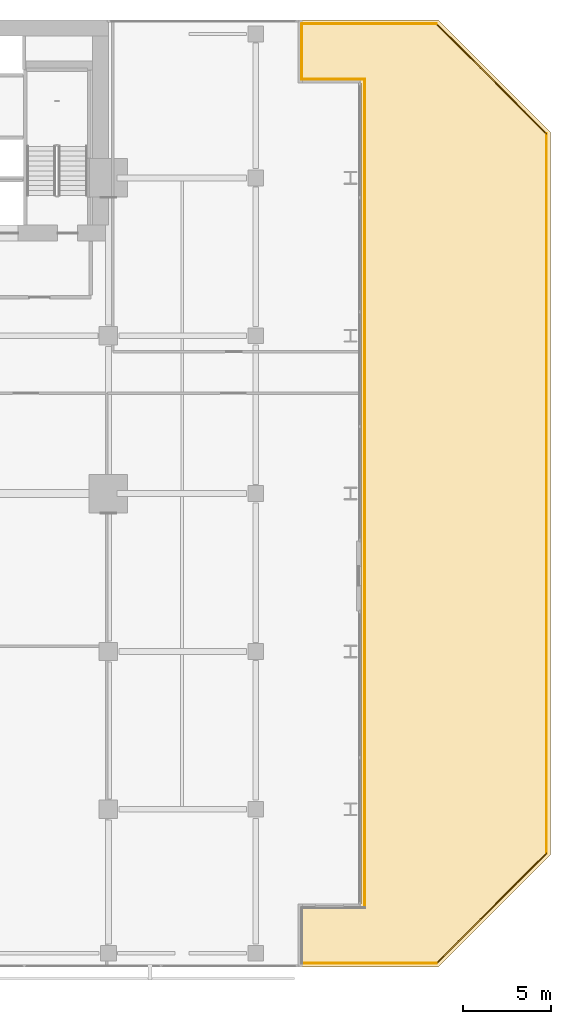
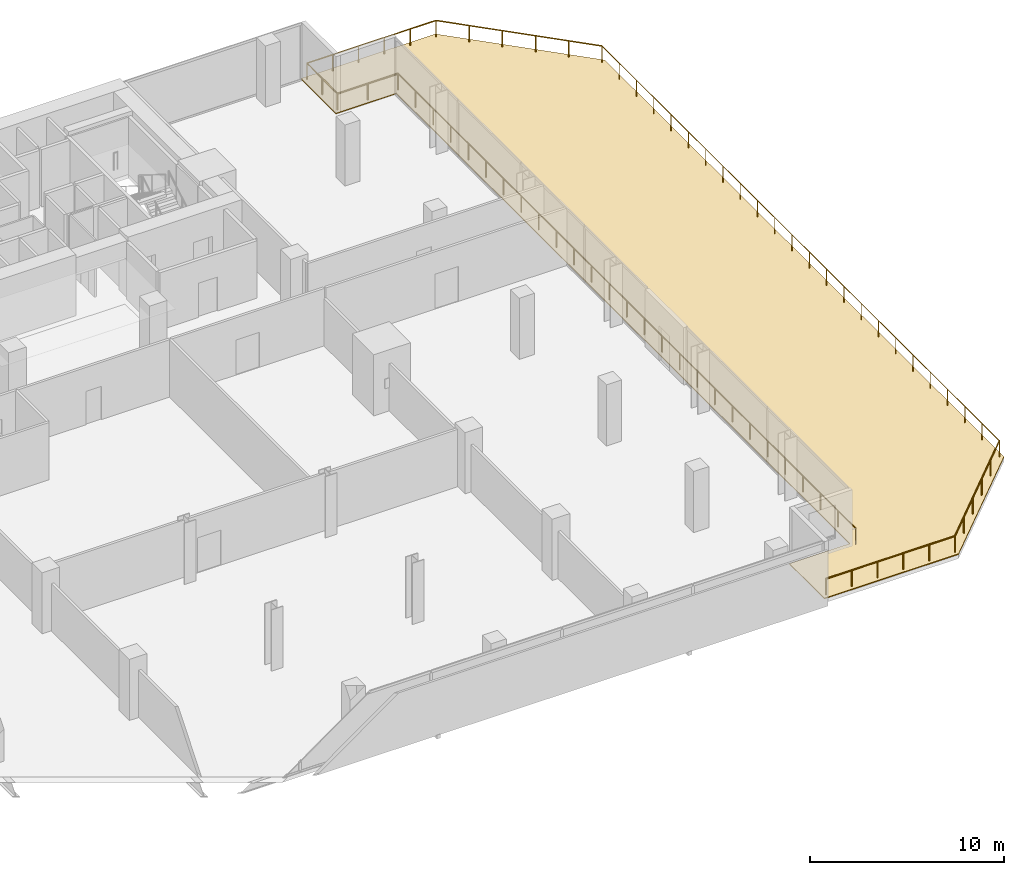
# One storey, part 31 of 31: 8 railings, 1 covering.
"""IFC4 building model written with IfcOpenShell, lengths in metres."""

from ifc_helpers import new_model, si_unit, direction, frame, origin, origin_2d, place, context, subcontext, project, spatial, polyline, circle, outline, extrude, material, layer, layer_set, type_object, element, save


model = new_model("IFC4")

# Units and contexts
model_context = context("Model", 3, precision=1e-05, world=origin(), true_north=direction((0.0, 1.0)))
body_context = subcontext(model_context, "Body", "Model", "MODEL_VIEW")
ifc_project = project(units=[si_unit("LENGTHUNIT", "METRE"), si_unit("AREAUNIT", "SQUARE_METRE"), si_unit("VOLUMEUNIT", "CUBIC_METRE"), si_unit("PLANEANGLEUNIT", "RADIAN"), si_unit("MASSUNIT", "GRAM", prefix="KILO")], contexts=[model_context])

# Site, building, storey
site_placement = place(None, origin())
site = spatial("IfcSite", under=ifc_project, at=site_placement, CompositionType="ELEMENT")
building_placement = place(site_placement, origin())
building = spatial("IfcBuilding", under=site, at=building_placement, Name="Maruvema Waterfront Hotel and Observation Tower", CompositionType="ELEMENT")
storey_placement = place(building_placement, frame((0.0, 0.0, 26.949951171875)))
storey = spatial("IfcBuildingStorey", under=building, at=storey_placement, Name="L05", CompositionType="ELEMENT", Elevation=26.949951171875)

# Covering
ifc_material_1 = material(Name="SBS modified bitumen waterproofing with granite ballast", Category="masonry")
ifc_layer = layer(ifc_material_1, 0.090087890625, Name="Elastomeric Waterproof Roof Membrane and Granite Ballast 90 mm")
ifc_layer_set = layer_set([ifc_layer], Name="SBS modified bitumen waterproofing with granite ballast")
covering_type = type_object("IfcCoveringType", Name="Elastomeric Waterproof Roof Membrane and Granite Ballast 90 mm", PredefinedType="ROOFING", material=ifc_layer_set)
covering_placement = place(storey_placement, origin())
element("IfcCovering", 1, at=covering_placement, inside=storey, type_object=covering_type, Name="L05 Setback Terrace Waterproofing and Pavers 2", PredefinedType="ROOFING", context=body_context, shape_type="SweptSolid", body=[
    extrude(outline(polyline([(69.199951171875, 54.0), (75.60009765625, 47.60009765625), (75.60009765625, 6.39990234375), (69.199951171875, 0.0), (61.199951171875, 0.0), (61.199951171875, 3.60009765625), (64.800048828125, 3.60009765625), (64.800048828125, 50.39990234375), (61.199951171875, 50.39990234375), (61.199951171875, 54.0), (69.199951171875, 54.0)])), origin(), (0.0, 0.0, 1.0), 0.06005859375),
])

# Railings
ifc_material_2 = material(Name="Brushed stainless steel Grade 316", Category="steel")
railing_type = type_object("IfcRailingType", Name="Ramp and Terrace Guard Balustrade 1100 mm", PredefinedType="BALUSTRADE", material=ifc_material_2)
railing_1_placement = place(storey_placement, frame((69.10888671875, 53.780029296875, 0.0)))
element("IfcRailing", 2, at=railing_1_placement, inside=storey, type_object=railing_type, Name="L05 Perimeter Safety Balustrade 1", PredefinedType="BALUSTRADE", context=body_context, shape_type="SweptSolid", body=[
    extrude(circle(Radius=0.02392578125, at=origin_2d()), frame((0.0, 0.0, 1.076171875), z_axis=(0.707093016881, -0.707120545224, 0.0), x_axis=(0.707120545224, 0.707093016881, 0.0)), (0.0, 0.0, 1.0), 8.86865234375),
    extrude(circle(Radius=0.02099609375, at=origin_2d()), origin(), (0.0, 0.0, 1.0), 1.052001953125),
    extrude(circle(Radius=0.02099609375, at=origin_2d()), frame((1.254150390625, -1.254150390625, 0.0)), (0.0, 0.0, 1.0), 1.052001953125),
    extrude(circle(Radius=0.02099609375, at=origin_2d()), frame((2.50830078125, -2.508544921875, 0.0)), (0.0, 0.0, 1.0), 1.052001953125),
    extrude(circle(Radius=0.02099609375, at=origin_2d()), frame((3.7626953125, -3.7626953125, 0.0)), (0.0, 0.0, 1.0), 1.052001953125),
    extrude(circle(Radius=0.02099609375, at=origin_2d()), frame((5.016845703125, -5.01708984375, 0.0)), (0.0, 0.0, 1.0), 1.052001953125),
    extrude(circle(Radius=0.02099609375, at=origin_2d()), frame((6.27099609375, -6.271240234375, 0.0)), (0.0, 0.0, 1.0), 1.052001953125),
])
railing_2_placement = place(storey_placement, frame((75.3798828125, 47.5087890625, 0.0)))
element("IfcRailing", 3, at=railing_2_placement, inside=storey, type_object=railing_type, Name="L05 Perimeter Safety Balustrade 2", PredefinedType="BALUSTRADE", context=body_context, shape_type="SweptSolid", body=[
    extrude(circle(Radius=0.02392578125, at=origin_2d()), frame((0.0, 0.0, 1.076171875), z_axis=(0.0, -1.0, 0.0), x_axis=(1.0, 0.0, 0.0)), (0.0, 0.0, 1.0), 41.017578125),
    extrude(circle(Radius=0.02099609375, at=origin_2d()), origin(), (0.0, 0.0, 1.0), 1.052001953125),
    extrude(circle(Radius=0.02099609375, at=origin_2d()), frame((0.0, -1.783447265625, 0.0)), (0.0, 0.0, 1.0), 1.052001953125),
    extrude(circle(Radius=0.02099609375, at=origin_2d()), frame((0.0, -3.566650390625, 0.0)), (0.0, 0.0, 1.0), 1.052001953125),
    extrude(circle(Radius=0.02099609375, at=origin_2d()), frame((0.0, -5.35009765625, 0.0)), (0.0, 0.0, 1.0), 1.052001953125),
    extrude(circle(Radius=0.02099609375, at=origin_2d()), frame((0.0, -7.133544921875, 0.0)), (0.0, 0.0, 1.0), 1.052001953125),
    extrude(circle(Radius=0.02099609375, at=origin_2d()), frame((0.0, -8.916748046875, 0.0)), (0.0, 0.0, 1.0), 1.052001953125),
    extrude(circle(Radius=0.02099609375, at=origin_2d()), frame((0.0, -10.7001953125, 0.0)), (0.0, 0.0, 1.0), 1.052001953125),
    extrude(circle(Radius=0.02099609375, at=origin_2d()), frame((0.0, -12.483642578125, 0.0)), (0.0, 0.0, 1.0), 1.052001953125),
    extrude(circle(Radius=0.02099609375, at=origin_2d()), frame((0.0, -14.26708984375, 0.0)), (0.0, 0.0, 1.0), 1.052001953125),
    extrude(circle(Radius=0.02099609375, at=origin_2d()), frame((0.0, -16.05029296875, 0.0)), (0.0, 0.0, 1.0), 1.052001953125),
    extrude(circle(Radius=0.02099609375, at=origin_2d()), frame((0.0, -17.833740234375, 0.0)), (0.0, 0.0, 1.0), 1.052001953125),
    extrude(circle(Radius=0.02099609375, at=origin_2d()), frame((0.0, -19.6171875, 0.0)), (0.0, 0.0, 1.0), 1.052001953125),
    extrude(circle(Radius=0.02099609375, at=origin_2d()), frame((0.0, -21.400390625, 0.0)), (0.0, 0.0, 1.0), 1.052001953125),
    extrude(circle(Radius=0.02099609375, at=origin_2d()), frame((0.0, -23.183837890625, 0.0)), (0.0, 0.0, 1.0), 1.052001953125),
    extrude(circle(Radius=0.02099609375, at=origin_2d()), frame((0.0, -24.96728515625, 0.0)), (0.0, 0.0, 1.0), 1.052001953125),
    extrude(circle(Radius=0.02099609375, at=origin_2d()), frame((0.0, -26.75048828125, 0.0)), (0.0, 0.0, 1.0), 1.052001953125),
    extrude(circle(Radius=0.02099609375, at=origin_2d()), frame((0.0, -28.533935546875, 0.0)), (0.0, 0.0, 1.0), 1.052001953125),
    extrude(circle(Radius=0.02099609375, at=origin_2d()), frame((0.0, -30.3173828125, 0.0)), (0.0, 0.0, 1.0), 1.052001953125),
    extrude(circle(Radius=0.02099609375, at=origin_2d()), frame((0.0, -32.100830078125, 0.0)), (0.0, 0.0, 1.0), 1.052001953125),
    extrude(circle(Radius=0.02099609375, at=origin_2d()), frame((0.0, -33.884033203125, 0.0)), (0.0, 0.0, 1.0), 1.052001953125),
    extrude(circle(Radius=0.02099609375, at=origin_2d()), frame((0.0, -35.66748046875, 0.0)), (0.0, 0.0, 1.0), 1.052001953125),
    extrude(circle(Radius=0.02099609375, at=origin_2d()), frame((0.0, -37.450927734375, 0.0)), (0.0, 0.0, 1.0), 1.052001953125),
    extrude(circle(Radius=0.02099609375, at=origin_2d()), frame((0.0, -39.234130859375, 0.0)), (0.0, 0.0, 1.0), 1.052001953125),
    extrude(circle(Radius=0.02099609375, at=origin_2d()), frame((0.0, -41.017578125, 0.0)), (0.0, 0.0, 1.0), 1.052001953125),
])
railing_3_placement = place(storey_placement, frame((75.3798828125, 6.4912109375, 0.0)))
element("IfcRailing", 4, at=railing_3_placement, inside=storey, type_object=railing_type, Name="L05 Perimeter Safety Balustrade 3", PredefinedType="BALUSTRADE", context=body_context, shape_type="SweptSolid", body=[
    extrude(circle(Radius=0.02392578125, at=origin_2d()), frame((0.0, 0.0, 1.076171875), z_axis=(-0.707093016881, -0.707120545224, 0.0), x_axis=(0.707120545224, -0.707093016881, 0.0)), (0.0, 0.0, 1.0), 8.86865234375),
    extrude(circle(Radius=0.02099609375, at=origin_2d()), origin(), (0.0, 0.0, 1.0), 1.052001953125),
    extrude(circle(Radius=0.02099609375, at=origin_2d()), frame((-1.254150390625, -1.254150390625, 0.0)), (0.0, 0.0, 1.0), 1.052001953125),
    extrude(circle(Radius=0.02099609375, at=origin_2d()), frame((-2.50830078125, -2.508544921875, 0.0)), (0.0, 0.0, 1.0), 1.052001953125),
    extrude(circle(Radius=0.02099609375, at=origin_2d()), frame((-3.7626953125, -3.7626953125, 0.0)), (0.0, 0.0, 1.0), 1.052001953125),
    extrude(circle(Radius=0.02099609375, at=origin_2d()), frame((-5.016845703125, -5.01708984375, 0.0)), (0.0, 0.0, 1.0), 1.052001953125),
    extrude(circle(Radius=0.02099609375, at=origin_2d()), frame((-6.27099609375, -6.271240234375, 0.0)), (0.0, 0.0, 1.0), 1.052001953125),
])
railing_4_placement = place(storey_placement, frame((69.10888671875, 0.219970703125, 0.0)))
element("IfcRailing", 5, at=railing_4_placement, inside=storey, type_object=railing_type, Name="L05 Perimeter Safety Balustrade 4", PredefinedType="BALUSTRADE", context=body_context, shape_type="SweptSolid", body=[
    extrude(circle(Radius=0.02392578125, at=origin_2d()), frame((0.0, 0.0, 1.076171875), z_axis=(-1.0, 0.0, 0.0), x_axis=(0.0, -1.0, 0.0)), (0.0, 0.0, 1.0), 7.68896484375),
    extrude(circle(Radius=0.02099609375, at=origin_2d()), origin(), (0.0, 0.0, 1.0), 1.052001953125),
    extrude(circle(Radius=0.02099609375, at=origin_2d()), frame((-1.537841796875, 0.0, 0.0)), (0.0, 0.0, 1.0), 1.052001953125),
    extrude(circle(Radius=0.02099609375, at=origin_2d()), frame((-3.07568359375, 0.0, 0.0)), (0.0, 0.0, 1.0), 1.052001953125),
    extrude(circle(Radius=0.02099609375, at=origin_2d()), frame((-4.61328125, 0.0, 0.0)), (0.0, 0.0, 1.0), 1.052001953125),
    extrude(circle(Radius=0.02099609375, at=origin_2d()), frame((-6.151123046875, 0.0, 0.0)), (0.0, 0.0, 1.0), 1.052001953125),
    extrude(circle(Radius=0.02099609375, at=origin_2d()), frame((-7.68896484375, 0.0, 0.0)), (0.0, 0.0, 1.0), 1.052001953125),
])
railing_5_placement = place(storey_placement, frame((65.02001953125, 3.3798828125, 0.0)))
element("IfcRailing", 6, at=railing_5_placement, inside=storey, type_object=railing_type, Name="L05 Perimeter Safety Balustrade 7", PredefinedType="BALUSTRADE", context=body_context, shape_type="SweptSolid", body=[
    extrude(circle(Radius=0.02392578125, at=origin_2d()), frame((0.0, 0.0, 1.076171875), z_axis=(0.0, 1.0, 0.0), x_axis=(-1.0, 0.0, 0.0)), (0.0, 0.0, 1.0), 47.240234375),
    extrude(circle(Radius=0.02099609375, at=origin_2d()), origin(), (0.0, 0.0, 1.0), 1.052001953125),
    extrude(circle(Radius=0.02099609375, at=origin_2d()), frame((0.0, 1.81689453125, 0.0)), (0.0, 0.0, 1.0), 1.052001953125),
    extrude(circle(Radius=0.02099609375, at=origin_2d()), frame((0.0, 3.6337890625, 0.0)), (0.0, 0.0, 1.0), 1.052001953125),
    extrude(circle(Radius=0.02099609375, at=origin_2d()), frame((0.0, 5.45068359375, 0.0)), (0.0, 0.0, 1.0), 1.052001953125),
    extrude(circle(Radius=0.02099609375, at=origin_2d()), frame((0.0, 7.267822265625, 0.0)), (0.0, 0.0, 1.0), 1.052001953125),
    extrude(circle(Radius=0.02099609375, at=origin_2d()), frame((0.0, 9.084716796875, 0.0)), (0.0, 0.0, 1.0), 1.052001953125),
    extrude(circle(Radius=0.02099609375, at=origin_2d()), frame((0.0, 10.901611328125, 0.0)), (0.0, 0.0, 1.0), 1.052001953125),
    extrude(circle(Radius=0.02099609375, at=origin_2d()), frame((0.0, 12.718505859375, 0.0)), (0.0, 0.0, 1.0), 1.052001953125),
    extrude(circle(Radius=0.02099609375, at=origin_2d()), frame((0.0, 14.535400390625, 0.0)), (0.0, 0.0, 1.0), 1.052001953125),
    extrude(circle(Radius=0.02099609375, at=origin_2d()), frame((0.0, 16.352294921875, 0.0)), (0.0, 0.0, 1.0), 1.052001953125),
    extrude(circle(Radius=0.02099609375, at=origin_2d()), frame((0.0, 18.16943359375, 0.0)), (0.0, 0.0, 1.0), 1.052001953125),
    extrude(circle(Radius=0.02099609375, at=origin_2d()), frame((0.0, 19.986328125, 0.0)), (0.0, 0.0, 1.0), 1.052001953125),
    extrude(circle(Radius=0.02099609375, at=origin_2d()), frame((0.0, 21.80322265625, 0.0)), (0.0, 0.0, 1.0), 1.052001953125),
    extrude(circle(Radius=0.02099609375, at=origin_2d()), frame((0.0, 23.6201171875, 0.0)), (0.0, 0.0, 1.0), 1.052001953125),
    extrude(circle(Radius=0.02099609375, at=origin_2d()), frame((0.0, 25.43701171875, 0.0)), (0.0, 0.0, 1.0), 1.052001953125),
    extrude(circle(Radius=0.02099609375, at=origin_2d()), frame((0.0, 27.25390625, 0.0)), (0.0, 0.0, 1.0), 1.052001953125),
    extrude(circle(Radius=0.02099609375, at=origin_2d()), frame((0.0, 29.07080078125, 0.0)), (0.0, 0.0, 1.0), 1.052001953125),
    extrude(circle(Radius=0.02099609375, at=origin_2d()), frame((0.0, 30.887939453125, 0.0)), (0.0, 0.0, 1.0), 1.052001953125),
    extrude(circle(Radius=0.02099609375, at=origin_2d()), frame((0.0, 32.704833984375, 0.0)), (0.0, 0.0, 1.0), 1.052001953125),
    extrude(circle(Radius=0.02099609375, at=origin_2d()), frame((0.0, 34.521728515625, 0.0)), (0.0, 0.0, 1.0), 1.052001953125),
    extrude(circle(Radius=0.02099609375, at=origin_2d()), frame((0.0, 36.338623046875, 0.0)), (0.0, 0.0, 1.0), 1.052001953125),
    extrude(circle(Radius=0.02099609375, at=origin_2d()), frame((0.0, 38.155517578125, 0.0)), (0.0, 0.0, 1.0), 1.052001953125),
    extrude(circle(Radius=0.02099609375, at=origin_2d()), frame((0.0, 39.972412109375, 0.0)), (0.0, 0.0, 1.0), 1.052001953125),
    extrude(circle(Radius=0.02099609375, at=origin_2d()), frame((0.0, 41.78955078125, 0.0)), (0.0, 0.0, 1.0), 1.052001953125),
    extrude(circle(Radius=0.02099609375, at=origin_2d()), frame((0.0, 43.6064453125, 0.0)), (0.0, 0.0, 1.0), 1.052001953125),
    extrude(circle(Radius=0.02099609375, at=origin_2d()), frame((0.0, 45.42333984375, 0.0)), (0.0, 0.0, 1.0), 1.052001953125),
    extrude(circle(Radius=0.02099609375, at=origin_2d()), frame((0.0, 47.240234375, 0.0)), (0.0, 0.0, 1.0), 1.052001953125),
])
railing_6_placement = place(storey_placement, frame((65.02001953125, 50.6201171875, 0.0)))
element("IfcRailing", 7, at=railing_6_placement, inside=storey, type_object=railing_type, Name="L05 Perimeter Safety Balustrade 8", PredefinedType="BALUSTRADE", context=body_context, shape_type="SweptSolid", body=[
    extrude(circle(Radius=0.02392578125, at=origin_2d()), frame((0.0, 0.0, 1.076171875), z_axis=(-1.0, 0.0, 0.0), x_axis=(0.0, -1.0, 0.0)), (0.0, 0.0, 1.0), 3.60009765625),
    extrude(circle(Radius=0.02099609375, at=origin_2d()), origin(), (0.0, 0.0, 1.0), 1.052001953125),
    extrude(circle(Radius=0.02099609375, at=origin_2d()), frame((-1.800048828125, 0.0, 0.0)), (0.0, 0.0, 1.0), 1.052001953125),
    extrude(circle(Radius=0.02099609375, at=origin_2d()), frame((-3.60009765625, 0.0, 0.0)), (0.0, 0.0, 1.0), 1.052001953125),
])
railing_7_placement = place(storey_placement, frame((61.419921875, 50.6201171875, 0.0)))
element("IfcRailing", 8, at=railing_7_placement, inside=storey, type_object=railing_type, Name="L05 Perimeter Safety Balustrade 9", PredefinedType="BALUSTRADE", context=body_context, shape_type="SweptSolid", body=[
    extrude(circle(Radius=0.02392578125, at=origin_2d()), frame((0.0, 0.0, 1.076171875), z_axis=(0.0, 1.0, 0.0), x_axis=(-1.0, 0.0, 0.0)), (0.0, 0.0, 1.0), 3.159912109375),
    extrude(circle(Radius=0.02099609375, at=origin_2d()), origin(), (0.0, 0.0, 1.0), 1.052001953125),
    extrude(circle(Radius=0.02099609375, at=origin_2d()), frame((0.0, 1.580078125, 0.0)), (0.0, 0.0, 1.0), 1.052001953125),
    extrude(circle(Radius=0.02099609375, at=origin_2d()), frame((0.0, 3.159912109375, 0.0)), (0.0, 0.0, 1.0), 1.052001953125),
])
railing_8_placement = place(storey_placement, frame((61.419921875, 53.780029296875, 0.0)))
element("IfcRailing", 9, at=railing_8_placement, inside=storey, type_object=railing_type, Name="L05 Perimeter Safety Balustrade 10", PredefinedType="BALUSTRADE", context=body_context, shape_type="SweptSolid", body=[
    extrude(circle(Radius=0.02392578125, at=origin_2d()), frame((0.0, 0.0, 1.076171875), z_axis=(1.0, 0.0, 0.0), x_axis=(0.0, 1.0, 0.0)), (0.0, 0.0, 1.0), 7.68896484375),
    extrude(circle(Radius=0.02099609375, at=origin_2d()), origin(), (0.0, 0.0, 1.0), 1.052001953125),
    extrude(circle(Radius=0.02099609375, at=origin_2d()), frame((1.537841796875, 0.0, 0.0)), (0.0, 0.0, 1.0), 1.052001953125),
    extrude(circle(Radius=0.02099609375, at=origin_2d()), frame((3.07568359375, 0.0, 0.0)), (0.0, 0.0, 1.0), 1.052001953125),
    extrude(circle(Radius=0.02099609375, at=origin_2d()), frame((4.61328125, 0.0, 0.0)), (0.0, 0.0, 1.0), 1.052001953125),
    extrude(circle(Radius=0.02099609375, at=origin_2d()), frame((6.151123046875, 0.0, 0.0)), (0.0, 0.0, 1.0), 1.052001953125),
    extrude(circle(Radius=0.02099609375, at=origin_2d()), frame((7.68896484375, 0.0, 0.0)), (0.0, 0.0, 1.0), 1.052001953125),
])

save(model, "model.ifc")
